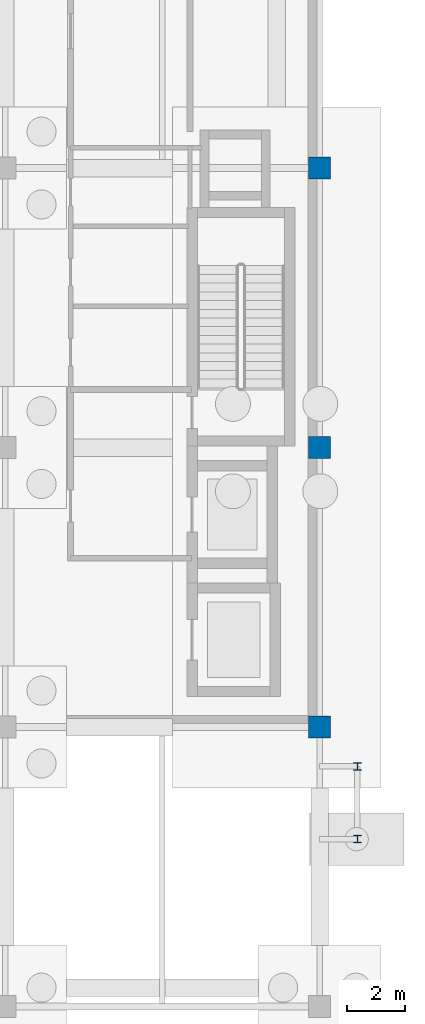
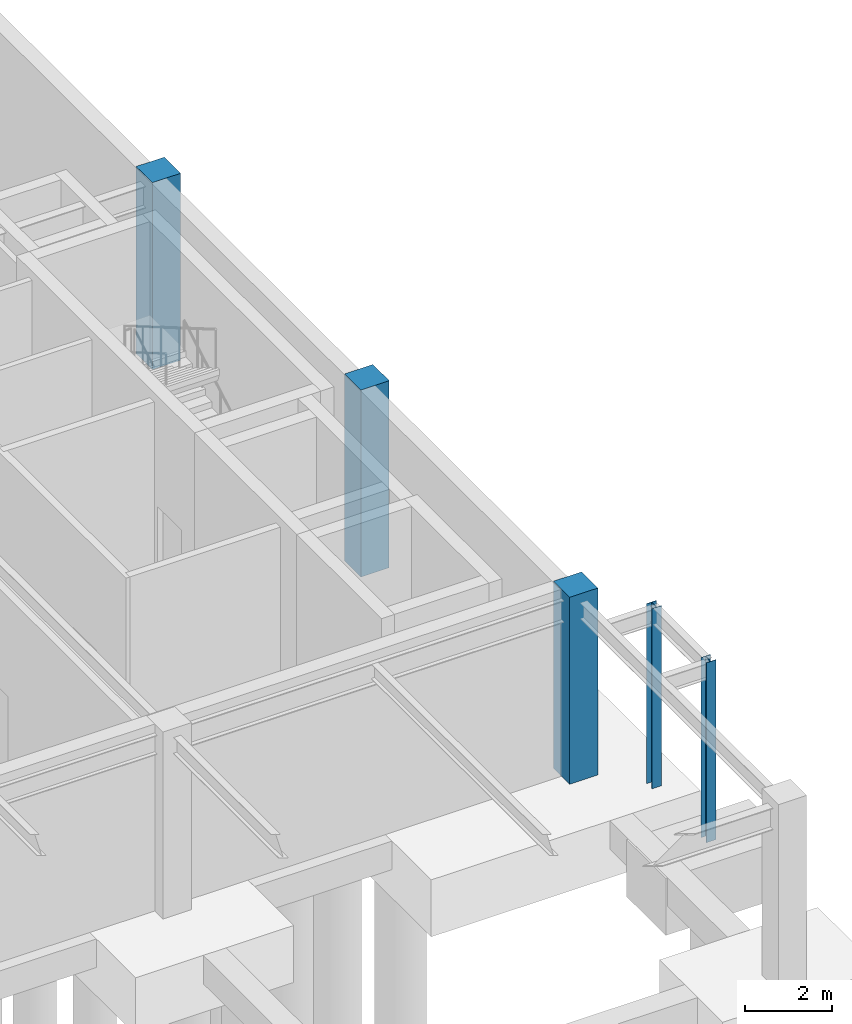
# One storey, part 31 of 55: 5 columns.
"""IFC4 building model written with IfcOpenShell, lengths in metres."""

from ifc_helpers import new_model, si_unit, direction, frame, origin, origin_2d, place, context, subcontext, project, spatial, rectangle, i_section, extrude, material, material_profile, profile_set, type_object, element, save


model = new_model("IFC4")

# Units and contexts
model_context = context("Model", 3, precision=1e-05, world=origin(), true_north=direction((0.0, 1.0)))
body_context = subcontext(model_context, "Body", "Model", "MODEL_VIEW")
ifc_project = project(units=[si_unit("LENGTHUNIT", "METRE"), si_unit("AREAUNIT", "SQUARE_METRE"), si_unit("VOLUMEUNIT", "CUBIC_METRE"), si_unit("PLANEANGLEUNIT", "RADIAN"), si_unit("MASSUNIT", "GRAM", prefix="KILO")], contexts=[model_context])

# Site, building, storey
site_placement = place(None, origin())
site = spatial("IfcSite", under=ifc_project, at=site_placement, CompositionType="ELEMENT")
building_placement = place(site_placement, origin())
building = spatial("IfcBuilding", under=site, at=building_placement, Name="Almandine Court Research Institute", CompositionType="ELEMENT")
storey_placement = place(building_placement, frame((0.0, 0.0, -5.25)))
storey = spatial("IfcBuildingStorey", under=building, at=storey_placement, Name="B1", CompositionType="ELEMENT", Elevation=-5.25)

# Columns
ifc_material_1 = material(Name="Concrete C40/50", Category="concrete")
ifc_material_profile_1 = material_profile(ifc_material_1, rectangle(XDim=0.75, YDim=0.75, at=origin_2d()), Name="RC 750x750")
ifc_profile_set_1 = profile_set([ifc_material_profile_1], Name="Concrete C40/50")
column_type_1 = type_object("IfcColumnType", Name="Col-C-RC1", PredefinedType="COLUMN", material=ifc_profile_set_1)
for number, where, z_axis, x_axis, name in (
    (1, (174.0, 15.60009765625, 0.0), (0.0, 0.0, 1.0), (1.0, 0.0, 0.0), "B1 V4 Column V4-X4Y2"),
    (2, (174.0, 25.199951171875, 0.0), (0.0, 0.0, 1.0), (1.0, 0.0, 0.0), "B1 V4 Column V4-X4Y3"),
    (3, (174.0, 34.800048828125, 0.0), (0.0, 0.0, 1.0), (1.0, 0.0, 0.0), "B1 V4 Column V4-X4Y4"),
):
    element("IfcColumn", number, at=place(storey_placement, frame(where, z_axis=z_axis, x_axis=x_axis)), inside=storey, type_object=column_type_1, Name=name, PredefinedType="COLUMN", context=body_context, shape_type="SweptSolid", body=[
        extrude(rectangle(XDim=0.75, YDim=0.75, at=origin_2d()), origin(), (0.0, 0.0, 1.0), 5.25),
    ])
ifc_material_2 = material(Name="Steel ASTM A992 Grade 50", Category="steel")
ifc_material_profile_2 = material_profile(ifc_material_2, i_section(OverallWidth=0.25390625, OverallDepth=0.2529296875, WebThickness=0.009033203125, FlangeThickness=0.013916015625, at=origin_2d()), Name="W250x73")
ifc_profile_set_2 = profile_set([ifc_material_profile_2], Name="Steel ASTM A992 Grade 50")
column_type_2 = type_object("IfcColumnType", Name="Col-C-W10", PredefinedType="COLUMN", material=ifc_profile_set_2)
for number, where, z_axis, x_axis, name in (
    (4, (175.300048828125, 11.75, 0.0), (0.0, 0.0, 1.0), (1.0, 0.0, 0.0), "B1 Exterior Threshold Support Column PAD-V4-E1-C1"),
    (5, (175.300048828125, 14.25, 0.0), (0.0, 0.0, 1.0), (1.0, 0.0, 0.0), "B1 Exterior Threshold Support Column PAD-V4-E1-C2"),
):
    element("IfcColumn", number, at=place(storey_placement, frame(where, z_axis=z_axis, x_axis=x_axis)), inside=storey, type_object=column_type_2, Name=name, PredefinedType="COLUMN", context=body_context, shape_type="SweptSolid", body=[
        extrude(i_section(OverallWidth=0.25390625, OverallDepth=0.2529296875, WebThickness=0.009033203125, FlangeThickness=0.013916015625, at=origin_2d()), origin(), (0.0, 0.0, 1.0), 5.050048828125),
    ])

save(model, "model.ifc")
